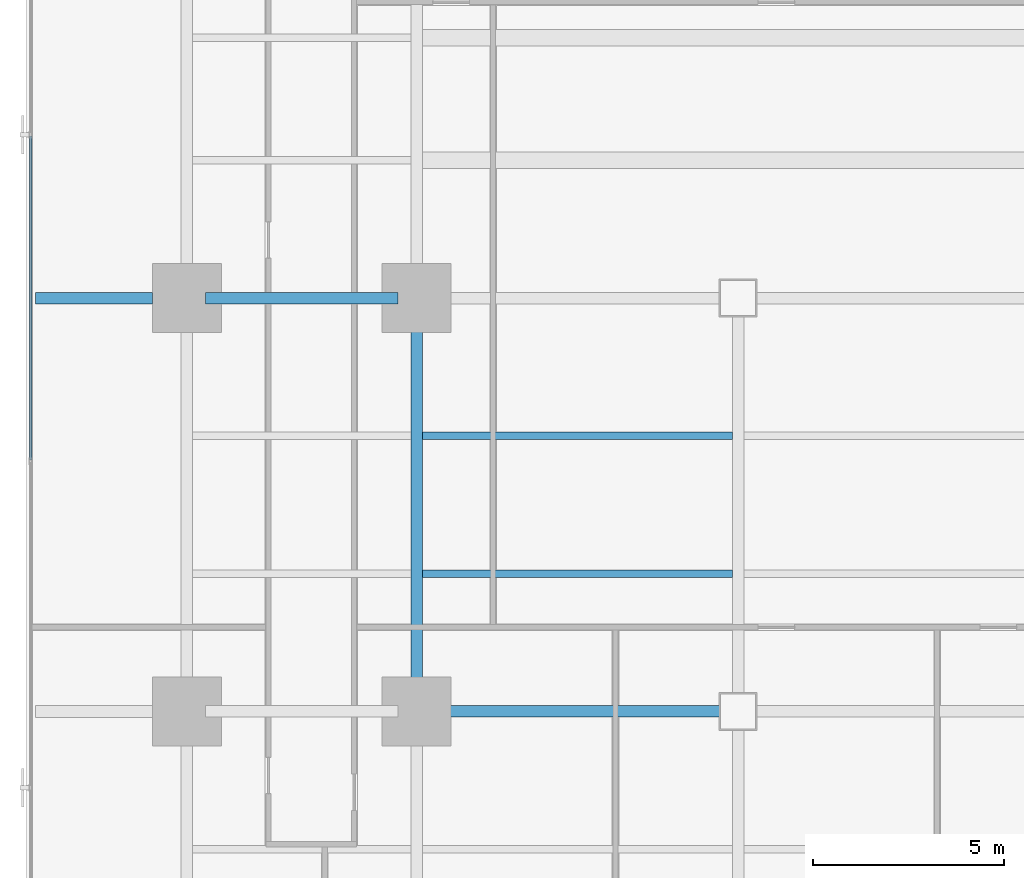
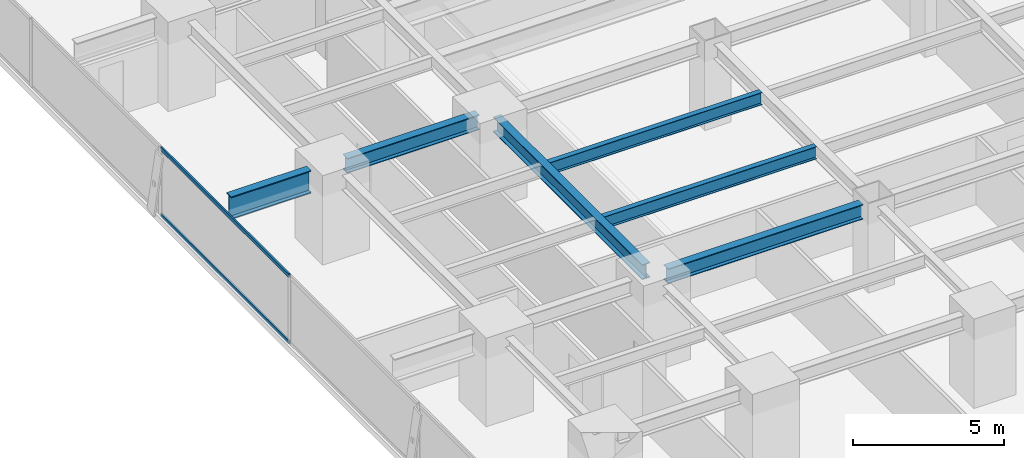
# One storey, part 8 of 34: 6 beams, 2 members, 1 element without a shape of its own.
"""IFC4 building model written with IfcOpenShell, lengths in metres."""

from ifc_helpers import new_model, si_unit, direction, frame, origin, origin_2d, place, context, subcontext, project, spatial, hollow_rectangle, i_section, extrude, source, transform, mapped, material, layer, layer_set, material_profile, profile_set, type_object, element, aggregate, save


model = new_model("IFC4")

# Units and contexts
model_context = context("Model", 3, precision=1e-05, world=origin(), true_north=direction((0.0, 1.0)))
body_context = subcontext(model_context, "Body", "Model", "MODEL_VIEW")
ifc_project = project(units=[si_unit("LENGTHUNIT", "METRE"), si_unit("AREAUNIT", "SQUARE_METRE"), si_unit("VOLUMEUNIT", "CUBIC_METRE"), si_unit("PLANEANGLEUNIT", "RADIAN"), si_unit("MASSUNIT", "GRAM", prefix="KILO")], contexts=[model_context])

# Site, building, storey
site_placement = place(None, origin())
site = spatial("IfcSite", under=ifc_project, at=site_placement, CompositionType="ELEMENT")
building_placement = place(site_placement, origin())
building = spatial("IfcBuilding", under=site, at=building_placement, Name="Sumidabori Civic Tower", CompositionType="ELEMENT")
storey_placement = place(building_placement, frame((0.0, 0.0, 41.60009765625)))
storey = spatial("IfcBuildingStorey", under=building, at=storey_placement, Name="L10", CompositionType="ELEMENT", Elevation=41.60009765625)

# Beams
ifc_material_1 = material(Name="Steel SN490", Category="steel")
ifc_material_profile_1 = material_profile(ifc_material_1, i_section(OverallWidth=0.300048828125, OverallDepth=0.60009765625, WebThickness=0.015380859375, FlangeThickness=0.030029296875, at=origin_2d()), Name="HE 600 B")
ifc_profile_set_1 = profile_set([ifc_material_profile_1], Name="Steel SN490")
beam_type_1 = type_object("IfcBeamType", Name="BM-GIRD-600", PredefinedType="BEAM", material=ifc_profile_set_1)
shared_shape_1 = source(origin(), body_context, "Body", "SweptSolid", [
    extrude(i_section(OverallWidth=0.300048828125, OverallDepth=0.60009765625, WebThickness=0.015380859375, FlangeThickness=0.030029296875, at=origin_2d()), origin(), (0.0, 0.0, 1.0), 5.0400390625),
])
beam_1_placement = place(storey_placement, frame((-22.320068359375, 0.0, 3.059814453125), z_axis=(1.0, 0.0, 0.0), x_axis=(0.0, 1.0, 0.0)))
element("IfcBeam", 1, at=beam_1_placement, inside=storey, type_object=beam_type_1, Name="Primary Girder L10 GX-13", PredefinedType="BEAM", context=body_context, shape_type="MappedRepresentation", body=[
    mapped(shared_shape_1, transform((0.0, 0.0, 0.0), x_axis=(1.0, 0.0, 0.0), y_axis=(0.0, 1.0, 0.0), z_axis=(0.0, 0.0, 1.0), scale=1.0)),
])
shared_shape_2 = source(origin(), body_context, "Body", "SweptSolid", [
    extrude(i_section(OverallWidth=0.300048828125, OverallDepth=0.60009765625, WebThickness=0.015380859375, FlangeThickness=0.030029296875, at=origin_2d()), origin(), (0.0, 0.0, 1.0), 7.440185546875),
])
beam_2_placement = place(storey_placement, frame((-16.320068359375, -10.800048828125, 3.059814453125), z_axis=(1.0, 0.0, 0.0), x_axis=(0.0, 1.0, 0.0)))
element("IfcBeam", 2, at=beam_2_placement, inside=storey, type_object=beam_type_1, Name="Primary Girder L10 GX-08", PredefinedType="BEAM", context=body_context, shape_type="MappedRepresentation", body=[
    mapped(shared_shape_2, transform((0.0, 0.0, 0.0), x_axis=(1.0, 0.0, 0.0), y_axis=(0.0, 1.0, 0.0), z_axis=(0.0, 0.0, 1.0), scale=1.0)),
])
shared_shape_3 = source(origin(), body_context, "Body", "SweptSolid", [
    extrude(i_section(OverallWidth=0.300048828125, OverallDepth=0.60009765625, WebThickness=0.015380859375, FlangeThickness=0.030029296875, at=origin_2d()), origin(), (0.0, 0.0, 1.0), 9.840087890625),
])
beam_3_placement = place(storey_placement, frame((-16.800048828125, -10.320068359375, 3.059814453125), z_axis=(0.0, 1.0, 0.0), x_axis=(-1.0, 0.0, 0.0)))
element("IfcBeam", 3, at=beam_3_placement, inside=storey, type_object=beam_type_1, Name="Primary Girder L10 GY-26", PredefinedType="BEAM", context=body_context, shape_type="MappedRepresentation", body=[
    mapped(shared_shape_3, transform((0.0, 0.0, 0.0), x_axis=(1.0, 0.0, 0.0), y_axis=(0.0, 1.0, 0.0), z_axis=(0.0, 0.0, 1.0), scale=1.0)),
])
ifc_material_profile_2 = material_profile(ifc_material_1, i_section(OverallWidth=0.302001953125, OverallDepth=0.909912109375, WebThickness=0.02099609375, FlangeThickness=0.0400390625, at=origin_2d()), Name="HE 900 M")
ifc_profile_set_2 = profile_set([ifc_material_profile_2], Name="Steel SN490")
beam_type_2 = type_object("IfcBeamType", Name="BM-Z1-EDGE", PredefinedType="SPANDREL", material=ifc_profile_set_2)
shared_shape_4 = source(origin(), body_context, "Body", "SweptSolid", [
    extrude(i_section(OverallWidth=0.302001953125, OverallDepth=0.909912109375, WebThickness=0.02099609375, FlangeThickness=0.0400390625, at=origin_2d()), origin(), (0.0, 0.0, 1.0), 3.050048828125),
])
beam_4_placement = place(storey_placement, frame((-26.75, 0.0, 2.90478515625), z_axis=(1.0, 0.0, 0.0), x_axis=(0.0, 1.0, 0.0)))
element("IfcBeam", 4, at=beam_4_placement, inside=storey, type_object=beam_type_2, Name="Perimeter Overhang Beam L10 W-46", PredefinedType="SPANDREL", context=body_context, shape_type="MappedRepresentation", body=[
    mapped(shared_shape_4, transform((0.0, 0.0, 0.0), x_axis=(1.0, 0.0, 0.0), y_axis=(0.0, 1.0, 0.0), z_axis=(0.0, 0.0, 1.0), scale=1.0)),
])
ifc_material_profile_3 = material_profile(ifc_material_1, i_section(OverallWidth=0.199951171875, OverallDepth=0.5, WebThickness=0.01025390625, FlangeThickness=0.01611328125, at=origin_2d()), Name="IPE 500")
ifc_profile_set_3 = profile_set([ifc_material_profile_3], Name="Steel SN490")
beam_type_3 = type_object("IfcBeamType", Name="BM-JST-500", PredefinedType="JOIST", material=ifc_profile_set_3)
shared_shape_5 = source(origin(), body_context, "Body", "SweptSolid", [
    extrude(i_section(OverallWidth=0.199951171875, OverallDepth=0.5, WebThickness=0.01025390625, FlangeThickness=0.01611328125, at=origin_2d()), origin(), (0.0, 0.0, 1.0), 8.099853515625),
])
for number, where, z_axis, x_axis, name in (
    (5, (-16.64990234375, -7.199951171875, 3.10986328125), (1.0, 0.0, 0.0), (0.0, 1.0, 0.0), "South Bay Floor Joist L10 JSTS-65"),
    (6, (-16.64990234375, -3.60009765625, 3.10986328125), (1.0, 0.0, 0.0), (0.0, 1.0, 0.0), "South Bay Floor Joist L10 JSTS-69"),
):
    element("IfcBeam", number, at=place(storey_placement, frame(where, z_axis=z_axis, x_axis=x_axis)), inside=storey, type_object=beam_type_3, Name=name, PredefinedType="JOIST", context=body_context, shape_type="MappedRepresentation", body=[
        mapped(shared_shape_5, transform((0.0, 0.0, 0.0), x_axis=(1.0, 0.0, 0.0), y_axis=(0.0, 1.0, 0.0), z_axis=(0.0, 0.0, 1.0), scale=1.0)),
    ])

# Curtain wall, members
ifc_material_2 = material(Name="Anodised Bronze Aluminium AW-6063-T6", Category="aluminium")
ifc_layer = layer(ifc_material_2, 0.179931640625, Name="Anodised Bronze Aluminium AW-6063-T6")
ifc_layer_set = layer_set([ifc_layer], Name="Anodised Bronze Aluminium AW-6063-T6")
curtain_wall_type = type_object("IfcCurtainWallType", Name="CW-SYS-2", PredefinedType="NOTDEFINED", material=ifc_layer_set)
curtain_wall_placement = place(storey_placement, origin())
curtain_wall = element("IfcCurtainWall", 7, at=curtain_wall_placement, inside=storey, type_object=curtain_wall_type, Name="Curtain Wall CW:L10:R10", PredefinedType="NOTDEFINED")
ifc_material_profile_4 = material_profile(ifc_material_2, hollow_rectangle(XDim=0.06494140625, YDim=0.14990234375, WallThickness=0.0048828125, at=origin_2d()), Name="ALU TRANSOM 150x65")
ifc_profile_set_4 = profile_set([ifc_material_profile_4], Name="Anodised Bronze Aluminium AW-6063-T6")
member_type = type_object("IfcMemberType", Name="CW-TRN-150", PredefinedType="USERDEFINED", material=ifc_profile_set_4)
shared_shape_6 = source(origin(), body_context, "Body", "SweptSolid", [
    extrude(hollow_rectangle(XDim=0.06494140625, YDim=0.14990234375, WallThickness=0.0048828125, at=origin_2d()), origin(), (0.0, 0.0, 1.0), 8.4580078125),
])
member_1_placement = place(storey_placement, frame((-26.8798828125, 4.22900390625, 0.032470703125), z_axis=(0.0, -1.0, 0.0), x_axis=(1.0, 0.0, 0.0)))
member_1 = element("IfcMember", 8, at=member_1_placement, type_object=member_type, Name="CW-2 transom 3.1", ObjectType="TRANSOM", PredefinedType="USERDEFINED", context=body_context, shape_type="MappedRepresentation", body=[
    mapped(shared_shape_6, transform((0.0, 0.0, 0.0), x_axis=(1.0, 0.0, 0.0), y_axis=(0.0, 1.0, 0.0), z_axis=(0.0, 0.0, 1.0), scale=1.0)),
])
member_2_placement = place(storey_placement, frame((-26.8798828125, 4.22900390625, 2.70751953125), z_axis=(0.0, -1.0, 0.0), x_axis=(1.0, 0.0, 0.0)))
member_2 = element("IfcMember", 9, at=member_2_placement, type_object=member_type, Name="CW-2 transom 3.2", ObjectType="TRANSOM", PredefinedType="USERDEFINED", context=body_context, shape_type="MappedRepresentation", body=[
    mapped(shared_shape_6, transform((0.0, 0.0, 0.0), x_axis=(1.0, 0.0, 0.0), y_axis=(0.0, 1.0, 0.0), z_axis=(0.0, 0.0, 1.0), scale=1.0)),
])
aggregate(curtain_wall, [member_1, member_2])

save(model, "model.ifc")
